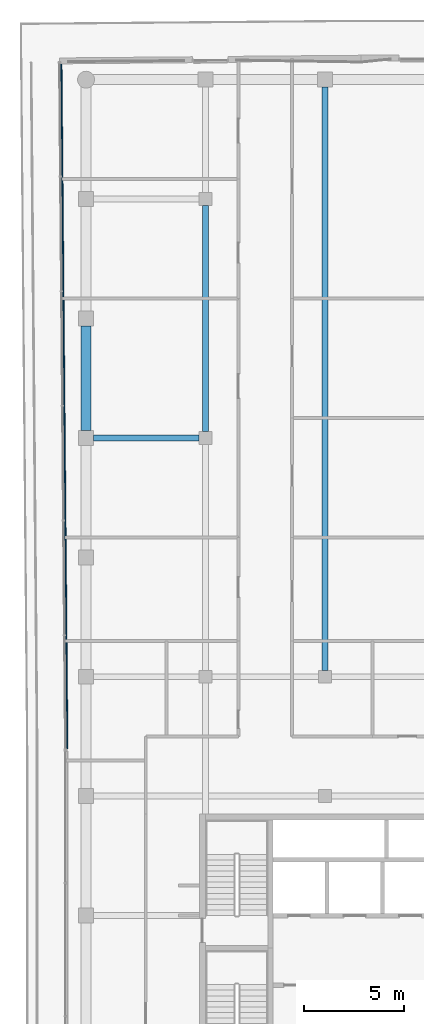
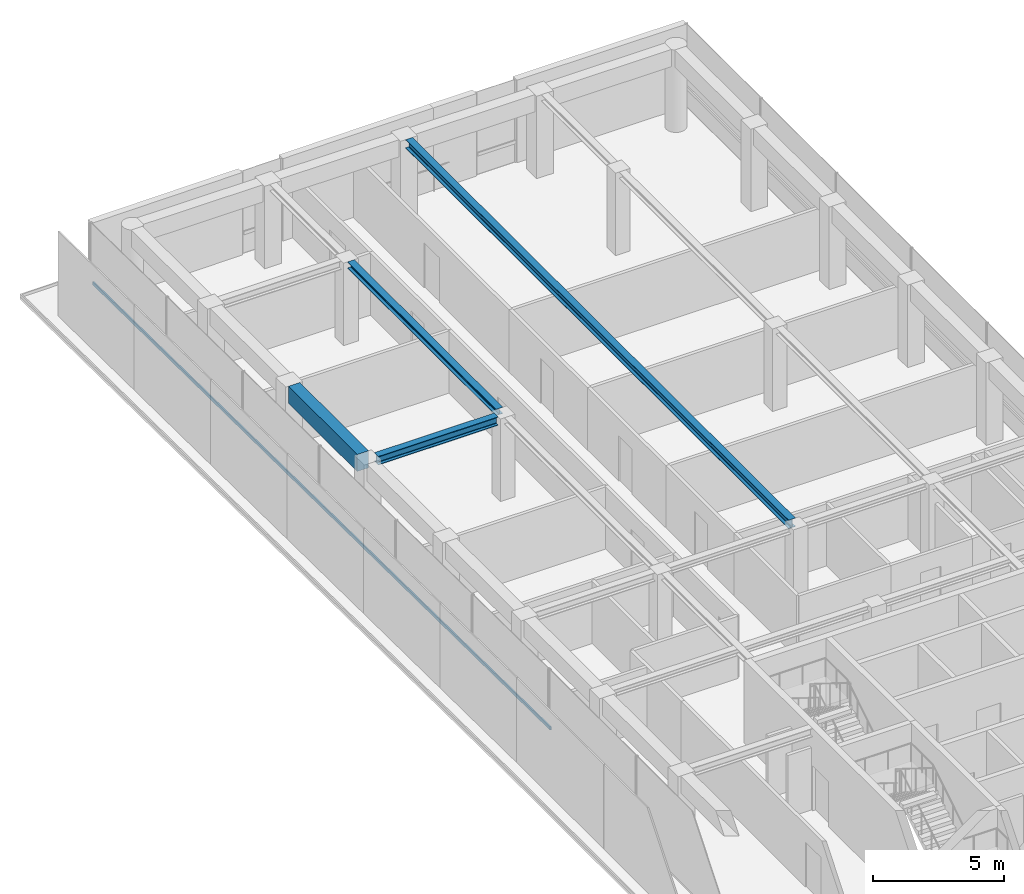
# One storey, part 9 of 18: 4 beams, 1 member, 1 element without a shape of its own.
"""IFC4 building model written with IfcOpenShell, lengths in metres."""

from ifc_helpers import new_model, si_unit, direction, frame, origin, origin_2d, place, context, subcontext, project, spatial, rectangle, i_section, extrude, material, layer, layer_set, material_profile, profile_set, type_object, element, aggregate, save


model = new_model("IFC4")

# Units and contexts
model_context = context("Model", 3, precision=1e-05, world=origin(), true_north=direction((0.0, 1.0)))
body_context = subcontext(model_context, "Body", "Model", "MODEL_VIEW")
ifc_project = project(units=[si_unit("LENGTHUNIT", "METRE"), si_unit("AREAUNIT", "SQUARE_METRE"), si_unit("VOLUMEUNIT", "CUBIC_METRE"), si_unit("PLANEANGLEUNIT", "RADIAN"), si_unit("MASSUNIT", "GRAM", prefix="KILO")], contexts=[model_context])

# Site, building, storey
site_placement = place(None, origin())
site = spatial("IfcSite", under=ifc_project, at=site_placement, CompositionType="ELEMENT")
building_placement = place(site_placement, origin())
building = spatial("IfcBuilding", under=site, at=building_placement, Name="Welwitschia Terrace Campus", CompositionType="ELEMENT")
storey_placement = place(building_placement, frame((0.0, 0.0, 289.39990234375)))
storey = spatial("IfcBuildingStorey", under=building, at=storey_placement, Name="L64", CompositionType="ELEMENT", Elevation=289.39990234375)

# Beams
ifc_material_1 = material(Name="Steel S355", Category="steel")
ifc_material_profile_1 = material_profile(ifc_material_1, i_section(OverallWidth=0.300048828125, OverallDepth=0.300048828125, WebThickness=0.010986328125, FlangeThickness=0.01904296875, FilletRadius=0.027099609375, at=origin_2d()))
ifc_profile_set_1 = profile_set([ifc_material_profile_1], Name="Steel S355")
beam_type_1 = type_object("IfcBeamType", Name="Interior girder HE 300 B", PredefinedType="BEAM", material=ifc_profile_set_1)
beam_1_placement = place(storey_placement, frame((6.0, 44.325439453125, 3.7001953125), z_axis=(0.0, 1.0, 0.0), x_axis=(-1.0, 0.0, 0.0)))
element("IfcBeam", 1, at=beam_1_placement, inside=storey, type_object=beam_type_1, Name="Girder GB6", PredefinedType="BEAM", context=body_context, shape_type="SweptSolid", body=[
    extrude(i_section(OverallWidth=0.300048828125, OverallDepth=0.300048828125, WebThickness=0.010986328125, FlangeThickness=0.01904296875, FilletRadius=0.027099609375, at=origin_2d()), origin(), (0.0, 0.0, 1.0), 11.34912109375),
])
ifc_material_2 = material(Name="Steel S355", Category="steel")
ifc_material_profile_2 = material_profile(ifc_material_2, i_section(OverallWidth=0.300048828125, OverallDepth=0.39990234375, WebThickness=0.013427734375, FlangeThickness=0.02392578125, FilletRadius=0.027099609375, at=origin_2d()))
ifc_profile_set_2 = profile_set([ifc_material_profile_2], Name="Steel S355")
beam_type_2 = type_object("IfcBeamType", Name="Primary beam HE 400 B", PredefinedType="BEAM", material=ifc_profile_set_2)
beam_2_placement = place(storey_placement, frame((12.0, 61.62451171875, 3.650146484375), z_axis=(0.0, -1.0, 0.0), x_axis=(1.0, 0.0, 0.0)))
element("IfcBeam", 2, at=beam_2_placement, inside=storey, type_object=beam_type_2, Name="Primary beam PB6", PredefinedType="BEAM", context=body_context, shape_type="SweptSolid", body=[
    extrude(i_section(OverallWidth=0.300048828125, OverallDepth=0.39990234375, WebThickness=0.013427734375, FlangeThickness=0.02392578125, FilletRadius=0.027099609375, at=origin_2d()), origin(), (0.0, 0.0, 1.0), 29.299072265625),
])
beam_3_placement = place(storey_placement, frame((0.37548828125, 44.0, 3.650146484375), z_axis=(1.0, 0.0, 0.0), x_axis=(0.0, 1.0, 0.0)))
element("IfcBeam", 3, at=beam_3_placement, inside=storey, type_object=beam_type_2, Name="Primary beam PB6", PredefinedType="BEAM", context=body_context, shape_type="SweptSolid", body=[
    extrude(i_section(OverallWidth=0.300048828125, OverallDepth=0.39990234375, WebThickness=0.013427734375, FlangeThickness=0.02392578125, FilletRadius=0.027099609375, at=origin_2d()), origin(), (0.0, 0.0, 1.0), 5.299072265625),
])
ifc_material_3 = material(Name="Concrete C50/60", Category="concrete")
ifc_material_profile_3 = material_profile(ifc_material_3, rectangle(XDim=0.5, YDim=0.800048828125, at=origin_2d()))
ifc_profile_set_3 = profile_set([ifc_material_profile_3], Name="Concrete C50/60")
beam_type_3 = type_object("IfcBeamType", Name="Ring spandrel 500x800", PredefinedType="SPANDREL", material=ifc_profile_set_3)
beam_4_placement = place(storey_placement, frame((0.0, 49.62451171875, 3.4501953125), z_axis=(0.0, -1.0, 0.0), x_axis=(1.0, 0.0, 0.0)))
element("IfcBeam", 4, at=beam_4_placement, inside=storey, type_object=beam_type_3, Name="Spandrel SP4", PredefinedType="SPANDREL", context=body_context, shape_type="SweptSolid", body=[
    extrude(rectangle(XDim=0.5, YDim=0.800048828125, at=origin_2d()), origin(), (0.0, 0.0, 1.0), 5.2490234375),
])

# Curtain wall, member
ifc_material_4 = material(Name="Bronze anodised aluminium", Category="aluminium")
ifc_layer = layer(ifc_material_4, 0.1201171875)
ifc_layer_set = layer_set([ifc_layer], Name="Bronze anodised aluminium")
curtain_wall_type = type_object("IfcCurtainWallType", Name="Curtain wall CW2 tower 6000", PredefinedType="NOTDEFINED", material=ifc_layer_set)
curtain_wall_placement = place(storey_placement, origin())
curtain_wall = element("IfcCurtainWall", 5, at=curtain_wall_placement, inside=storey, type_object=curtain_wall_type, Name="CW L64.0.0", PredefinedType="NOTDEFINED")
ifc_material_5 = material(Name="Bronze anodised aluminium", Category="aluminium")
ifc_material_profile_4 = material_profile(ifc_material_5, rectangle(XDim=0.06005859375, YDim=0.14990234375, at=origin_2d()))
ifc_profile_set_4 = profile_set([ifc_material_profile_4], Name="Bronze anodised aluminium")
member_type = type_object("IfcMemberType", Name="Transom 60x150", PredefinedType="USERDEFINED", material=ifc_profile_set_4)
member_placement = place(storey_placement, frame((-1.2412109375, 62.838623046875, 1.0), z_axis=(0.008729269391, -0.999961899202, 0.0), x_axis=(0.999961899202, 0.008729269391, 0.0)))
member = element("IfcMember", 6, at=member_placement, type_object=member_type, Name="Transom L64.0.0", ObjectType="TRANSOM", PredefinedType="USERDEFINED", context=body_context, shape_type="SweptSolid", body=[
    extrude(rectangle(XDim=0.06005859375, YDim=0.14990234375, at=origin_2d()), origin(), (0.0, 0.0, 1.0), 34.45654296875),
])
aggregate(curtain_wall, [member])

save(model, "model.ifc")
